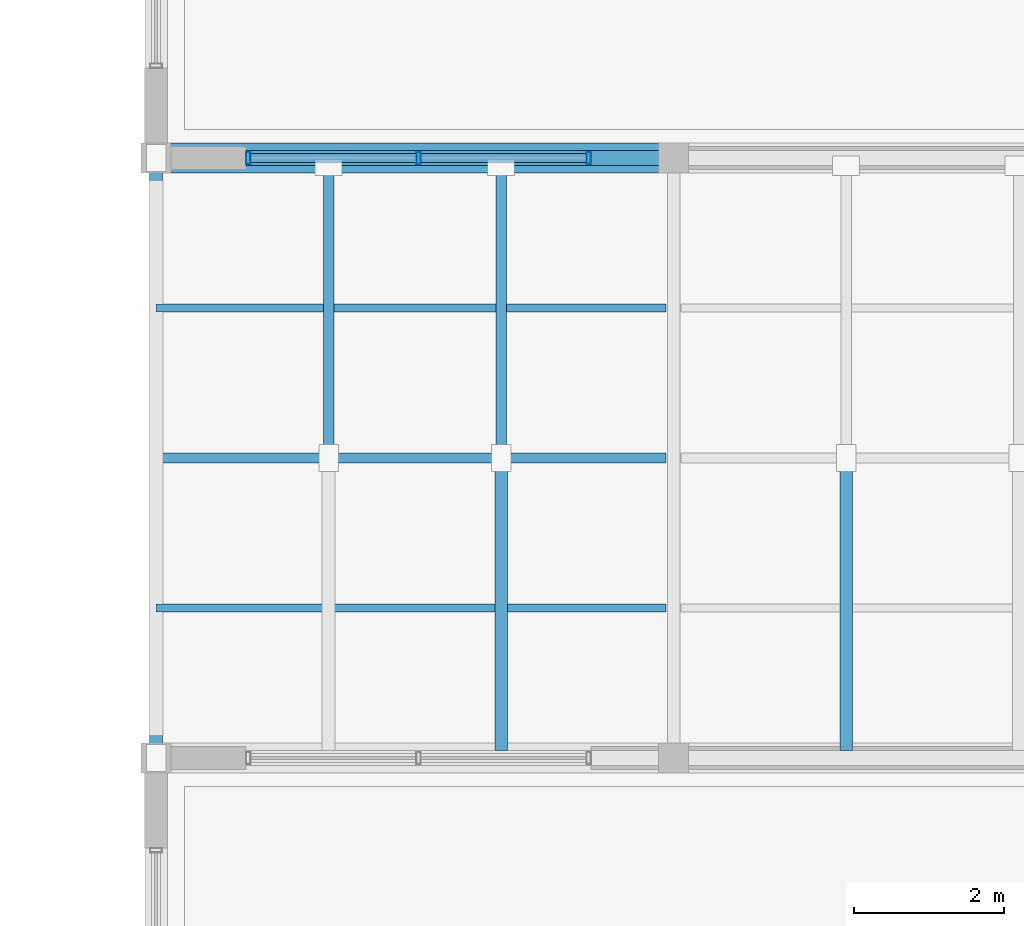
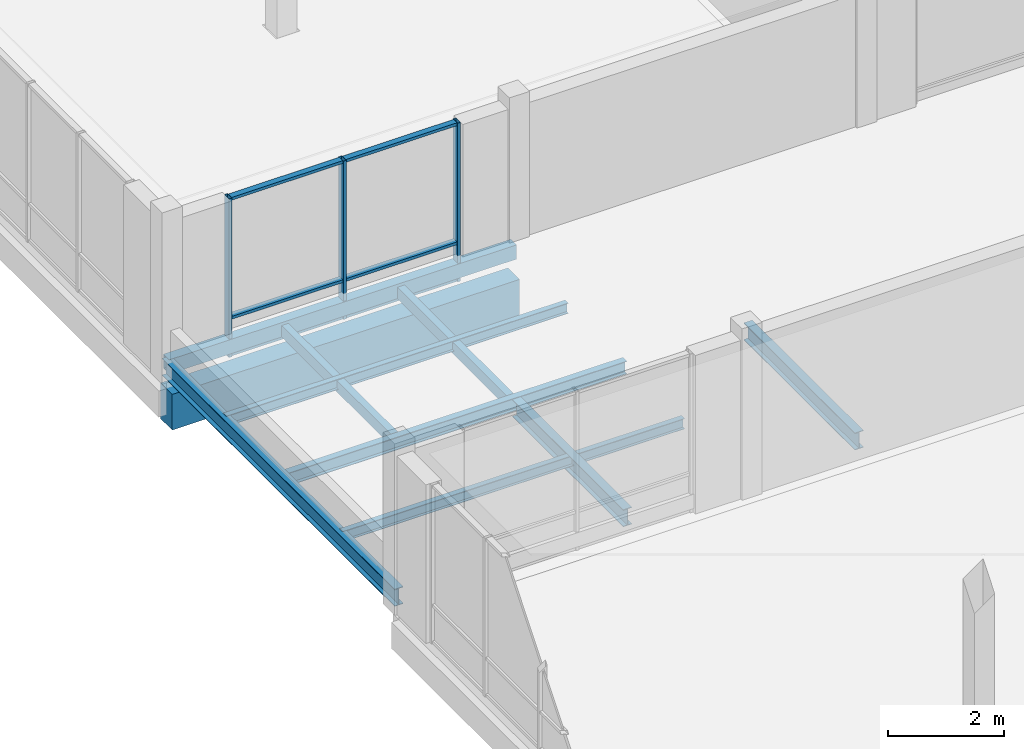
# One storey, part 30 of 189: 13 members, 6 beams, 1 element without a shape of its own.
"""IFC4 building model written with IfcOpenShell, lengths in metres."""

from ifc_helpers import new_model, si_unit, direction, frame, origin, origin_2d, place, context, subcontext, project, spatial, rectangle, hollow_rectangle, i_section, extrude, material, material_profile, profile_set, type_object, element, aggregate, save


model = new_model("IFC4")

# Units and contexts
model_context = context("Model", 3, precision=1e-05, world=origin(), true_north=direction((0.0, 1.0)))
body_context = subcontext(model_context, "Body", "Model", "MODEL_VIEW")
ifc_project = project(units=[si_unit("LENGTHUNIT", "METRE"), si_unit("AREAUNIT", "SQUARE_METRE"), si_unit("VOLUMEUNIT", "CUBIC_METRE"), si_unit("PLANEANGLEUNIT", "RADIAN"), si_unit("MASSUNIT", "GRAM", prefix="KILO")], contexts=[model_context])

# Site, building, storey
site_placement = place(None, origin())
site = spatial("IfcSite", under=ifc_project, at=site_placement, CompositionType="ELEMENT")
building_placement = place(site_placement, origin())
building = spatial("IfcBuilding", under=site, at=building_placement, Name="Zavelmont Quarter", CompositionType="ELEMENT")
storey_placement = place(building_placement, frame((0.0, 0.0, 4.39990234375)))
storey = spatial("IfcBuildingStorey", under=building, at=storey_placement, Name="L01", CompositionType="ELEMENT", Elevation=4.39990234375)

# Beams
ifc_material_1 = material(Name="Concrete C40/50", Category="concrete")
ifc_material_profile_1 = material_profile(ifc_material_1, rectangle(XDim=0.39990234375, YDim=0.75, at=origin_2d()), Name="RC400X750")
ifc_profile_set_1 = profile_set([ifc_material_profile_1], Name="Concrete C40/50")
beam_type_1 = type_object("IfcBeamType", Name="BM05", PredefinedType="BEAM", material=ifc_profile_set_1)
beam_1_placement = place(storey_placement, frame((0.0, 62.0, -0.65478515625), z_axis=(1.0, 0.0, 0.0), x_axis=(0.0, 1.0, 0.0)))
element("IfcBeam", 1, at=beam_1_placement, inside=storey, type_object=beam_type_1, Name="L01 beam BM05 1/K to 2/K", PredefinedType="BEAM", context=body_context, shape_type="SweptSolid", body=[
    extrude(rectangle(XDim=0.39990234375, YDim=0.75, at=origin_2d()), origin(), (0.0, 0.0, 1.0), 6.89990234375),
])
ifc_material_2 = material(Name="Steel S355", Category="steel")
ifc_material_profile_2 = material_profile(ifc_material_2, i_section(OverallWidth=0.169921875, OverallDepth=0.360107421875, WebThickness=0.008056640625, FlangeThickness=0.0126953125, at=origin_2d()), Name="IPE 360")
ifc_profile_set_2 = profile_set([ifc_material_profile_2], Name="Steel S355")
beam_type_2 = type_object("IfcBeamType", Name="BM13", PredefinedType="BEAM", material=ifc_profile_set_2)
beam_2_placement = place(storey_placement, frame((0.0, 54.0, 0.205078125), z_axis=(0.0, 1.0, 0.0), x_axis=(-1.0, 0.0, 0.0)))
element("IfcBeam", 2, at=beam_2_placement, inside=storey, type_object=beam_type_2, Name="L01 beam BM13 1/J to 1/K", PredefinedType="BEAM", context=body_context, shape_type="SweptSolid", body=[
    extrude(i_section(OverallWidth=0.169921875, OverallDepth=0.360107421875, WebThickness=0.008056640625, FlangeThickness=0.0126953125, at=origin_2d()), origin(), (0.0, 0.0, 1.0), 8.0),
])
ifc_material_profile_3 = material_profile(ifc_material_2, i_section(OverallWidth=0.135009765625, OverallDepth=0.27001953125, WebThickness=0.006591796875, FlangeThickness=0.01025390625, at=origin_2d()), Name="IPE 270")
ifc_profile_set_3 = profile_set([ifc_material_profile_3], Name="Steel S355")
beam_type_3 = type_object("IfcBeamType", Name="BM14", PredefinedType="JOIST", material=ifc_profile_set_3)
beam_3_placement = place(storey_placement, frame((0.0, 58.0, 0.25), z_axis=(1.0, 0.0, 0.0), x_axis=(0.0, 1.0, 0.0)))
element("IfcBeam", 3, at=beam_3_placement, inside=storey, type_object=beam_type_3, Name="L01 beam BM14 1/J to 2/J", PredefinedType="JOIST", context=body_context, shape_type="SweptSolid", body=[
    extrude(i_section(OverallWidth=0.135009765625, OverallDepth=0.27001953125, WebThickness=0.006591796875, FlangeThickness=0.01025390625, at=origin_2d()), origin(), (0.0, 0.0, 1.0), 6.800048828125),
])
ifc_material_profile_4 = material_profile(ifc_material_2, i_section(OverallWidth=0.110107421875, OverallDepth=0.219970703125, WebThickness=0.005859375, FlangeThickness=0.00927734375, at=origin_2d()), Name="IPE 220")
ifc_profile_set_4 = profile_set([ifc_material_profile_4], Name="Steel S355")
beam_type_4 = type_object("IfcBeamType", Name="BM15", PredefinedType="JOIST", material=ifc_profile_set_4)
for number, where, z_axis, x_axis, name in (
    (4, (0.0, 56.0, 0.275146484375), (1.0, 0.0, 0.0), (0.0, 1.0, 0.0), "L01 beam BM15 1/J to 2/J"),
    (5, (0.0, 60.0, 0.275146484375), (1.0, 0.0, 0.0), (0.0, 1.0, 0.0), "L01 beam BM15 1/K to 2/K"),
):
    element("IfcBeam", number, at=place(storey_placement, frame(where, z_axis=z_axis, x_axis=x_axis)), inside=storey, type_object=beam_type_4, Name=name, PredefinedType="JOIST", context=body_context, shape_type="SweptSolid", body=[
        extrude(i_section(OverallWidth=0.110107421875, OverallDepth=0.219970703125, WebThickness=0.005859375, FlangeThickness=0.00927734375, at=origin_2d()), origin(), (0.0, 0.0, 1.0), 6.800048828125),
    ])
ifc_material_profile_5 = material_profile(ifc_material_2, hollow_rectangle(XDim=0.199951171875, YDim=0.300048828125, WallThickness=0.012451171875, at=origin_2d()), Name="RHS 300X200X12.5")
ifc_profile_set_5 = profile_set([ifc_material_profile_5], Name="Steel S355")
beam_type_5 = type_object("IfcBeamType", Name="BM16", PredefinedType="BEAM", material=ifc_profile_set_5)
beam_4_placement = place(storey_placement, frame((0.0, 62.0, 0.235107421875), z_axis=(1.0, 0.0, 0.0), x_axis=(0.0, 1.0, 0.0)))
element("IfcBeam", 6, at=beam_4_placement, inside=storey, type_object=beam_type_5, Name="L01 beam BM16 1/K to 2/K", PredefinedType="BEAM", context=body_context, shape_type="SweptSolid", body=[
    extrude(hollow_rectangle(XDim=0.199951171875, YDim=0.300048828125, WallThickness=0.012451171875, at=origin_2d()), origin(), (0.0, 0.0, 1.0), 6.89990234375),
])

# Members
ifc_material_profile_6 = material_profile(ifc_material_2, hollow_rectangle(XDim=0.139892578125, YDim=0.239990234375, WallThickness=0.010009765625, at=origin_2d()), Name="RHS 240X140X10")
ifc_profile_set_6 = profile_set([ifc_material_profile_6], Name="Steel S355")
member_type_1 = type_object("IfcMemberType", Name="CLM1", PredefinedType="CHORD", material=ifc_profile_set_6)
for number, where, z_axis, x_axis, name in (
    (7, (2.300048828125, 58.080078125, 0.205078125), (0.0, 1.0, 0.0), (-1.0, 0.0, 0.0), "L01 member CLM1 1/K to 1/K"),
    (8, (4.60009765625, 58.080078125, 0.205078125), (0.0, 1.0, 0.0), (-1.0, 0.0, 0.0), "L01 member CLM1 2/K to 2/K"),
):
    element("IfcMember", number, at=place(storey_placement, frame(where, z_axis=z_axis, x_axis=x_axis)), inside=storey, type_object=member_type_1, Name=name, PredefinedType="CHORD", context=body_context, shape_type="SweptSolid", body=[
        extrude(hollow_rectangle(XDim=0.139892578125, YDim=0.239990234375, WallThickness=0.010009765625, at=origin_2d()), origin(), (0.0, 0.0, 1.0), 3.81982421875),
    ])

# Curtain wall, members
ifc_material_3 = material(Name="Thermally broken aluminium and double low-E safety glazing", Category="aluminium")
curtain_wall_type = type_object("IfcCurtainWallType", Name="CW-460X333", PredefinedType="NOTDEFINED", material=ifc_material_3)
curtain_wall_placement = place(storey_placement, origin())
curtain_wall = element("IfcCurtainWall", 9, at=curtain_wall_placement, inside=storey, type_object=curtain_wall_type, Name="L01 unitised curtain wall CW-460X333", PredefinedType="NOTDEFINED")
ifc_material_4 = material(Name="Powder-coated aluminium EN AW-6063-T6", Category="aluminium")
ifc_material_profile_7 = material_profile(ifc_material_4, hollow_rectangle(XDim=0.06005859375, YDim=0.159912109375, WallThickness=0.00390625, at=origin_2d()), Name="CWM60X160")
ifc_profile_set_7 = profile_set([ifc_material_profile_7], Name="Powder-coated aluminium EN AW-6063-T6")
member_type_2 = type_object("IfcMemberType", Name="CWM01", PredefinedType="MULLION", material=ifc_profile_set_7)
member_1_placement = place(storey_placement, frame((1.22998046875, 62.0, 0.0), z_axis=(0.0, 0.0, 1.0), x_axis=(1.0, 0.0, 0.0)))
member_1 = element("IfcMember", 10, at=member_1_placement, type_object=member_type_2, Name="CW-460X333 mullion 1", PredefinedType="MULLION", context=body_context, shape_type="SweptSolid", body=[
    extrude(hollow_rectangle(XDim=0.06005859375, YDim=0.159912109375, WallThickness=0.00390625, at=origin_2d()), origin(), (0.0, 0.0, 1.0), 3.330078125),
])
member_2_placement = place(storey_placement, frame((3.5, 62.0, 0.0), z_axis=(0.0, 0.0, 1.0), x_axis=(1.0, 0.0, 0.0)))
member_2 = element("IfcMember", 11, at=member_2_placement, type_object=member_type_2, Name="CW-460X333 mullion 2", PredefinedType="MULLION", context=body_context, shape_type="SweptSolid", body=[
    extrude(hollow_rectangle(XDim=0.06005859375, YDim=0.159912109375, WallThickness=0.00390625, at=origin_2d()), origin(), (0.0, 0.0, 1.0), 3.330078125),
])
member_3_placement = place(storey_placement, frame((5.77001953125, 62.0, 0.0), z_axis=(0.0, 0.0, 1.0), x_axis=(1.0, 0.0, 0.0)))
member_3 = element("IfcMember", 12, at=member_3_placement, type_object=member_type_2, Name="CW-460X333 mullion 3", PredefinedType="MULLION", context=body_context, shape_type="SweptSolid", body=[
    extrude(hollow_rectangle(XDim=0.06005859375, YDim=0.159912109375, WallThickness=0.00390625, at=origin_2d()), origin(), (0.0, 0.0, 1.0), 3.330078125),
])
ifc_material_profile_8 = material_profile(ifc_material_4, hollow_rectangle(XDim=0.1201171875, YDim=0.06005859375, WallThickness=0.00390625, at=origin_2d()), Name="CWT60X120")
ifc_profile_set_8 = profile_set([ifc_material_profile_8], Name="Powder-coated aluminium EN AW-6063-T6")
member_type_3 = type_object("IfcMemberType", Name="CWT01", PredefinedType="NOTDEFINED", material=ifc_profile_set_8)
member_4_placement = place(storey_placement, frame((1.260009765625, 62.0, 0.030029296875), z_axis=(1.0, 0.0, 0.0), x_axis=(0.0, 1.0, 0.0)))
member_4 = element("IfcMember", 13, at=member_4_placement, type_object=member_type_3, Name="CW-460X333 transom 1.1", ObjectType="TRANSOM", PredefinedType="USERDEFINED", context=body_context, shape_type="SweptSolid", body=[
    extrude(hollow_rectangle(XDim=0.1201171875, YDim=0.06005859375, WallThickness=0.00390625, at=origin_2d()), origin(), (0.0, 0.0, 1.0), 2.2099609375),
])
member_5_placement = place(storey_placement, frame((1.260009765625, 62.0, 0.799072265625), z_axis=(1.0, 0.0, 0.0), x_axis=(0.0, 1.0, 0.0)))
member_5 = element("IfcMember", 14, at=member_5_placement, type_object=member_type_3, Name="CW-460X333 transom 1.2", ObjectType="TRANSOM", PredefinedType="USERDEFINED", context=body_context, shape_type="SweptSolid", body=[
    extrude(hollow_rectangle(XDim=0.1201171875, YDim=0.06005859375, WallThickness=0.00390625, at=origin_2d()), origin(), (0.0, 0.0, 1.0), 2.2099609375),
])
member_6_placement = place(storey_placement, frame((1.260009765625, 62.0, 3.300048828125), z_axis=(1.0, 0.0, 0.0), x_axis=(0.0, 1.0, 0.0)))
member_6 = element("IfcMember", 15, at=member_6_placement, type_object=member_type_3, Name="CW-460X333 transom 1.3", ObjectType="TRANSOM", PredefinedType="USERDEFINED", context=body_context, shape_type="SweptSolid", body=[
    extrude(hollow_rectangle(XDim=0.1201171875, YDim=0.06005859375, WallThickness=0.00390625, at=origin_2d()), origin(), (0.0, 0.0, 1.0), 2.2099609375),
])
member_7_placement = place(storey_placement, frame((3.530029296875, 62.0, 0.030029296875), z_axis=(1.0, 0.0, 0.0), x_axis=(0.0, 1.0, 0.0)))
member_7 = element("IfcMember", 16, at=member_7_placement, type_object=member_type_3, Name="CW-460X333 transom 2.1", ObjectType="TRANSOM", PredefinedType="USERDEFINED", context=body_context, shape_type="SweptSolid", body=[
    extrude(hollow_rectangle(XDim=0.1201171875, YDim=0.06005859375, WallThickness=0.00390625, at=origin_2d()), origin(), (0.0, 0.0, 1.0), 2.2099609375),
])
member_8_placement = place(storey_placement, frame((3.530029296875, 62.0, 0.799072265625), z_axis=(1.0, 0.0, 0.0), x_axis=(0.0, 1.0, 0.0)))
member_8 = element("IfcMember", 17, at=member_8_placement, type_object=member_type_3, Name="CW-460X333 transom 2.2", ObjectType="TRANSOM", PredefinedType="USERDEFINED", context=body_context, shape_type="SweptSolid", body=[
    extrude(hollow_rectangle(XDim=0.1201171875, YDim=0.06005859375, WallThickness=0.00390625, at=origin_2d()), origin(), (0.0, 0.0, 1.0), 2.2099609375),
])
member_9_placement = place(storey_placement, frame((3.530029296875, 62.0, 3.300048828125), z_axis=(1.0, 0.0, 0.0), x_axis=(0.0, 1.0, 0.0)))
member_9 = element("IfcMember", 18, at=member_9_placement, type_object=member_type_3, Name="CW-460X333 transom 2.3", ObjectType="TRANSOM", PredefinedType="USERDEFINED", context=body_context, shape_type="SweptSolid", body=[
    extrude(hollow_rectangle(XDim=0.1201171875, YDim=0.06005859375, WallThickness=0.00390625, at=origin_2d()), origin(), (0.0, 0.0, 1.0), 2.2099609375),
])
aggregate(curtain_wall, [member_1, member_2, member_3, member_4, member_5, member_6, member_7, member_8, member_9])

# Members
ifc_material_profile_9 = material_profile(ifc_material_2, i_section(OverallWidth=0.169921875, OverallDepth=0.360107421875, WebThickness=0.008056640625, FlangeThickness=0.0126953125, at=origin_2d()), Name="IPE 360")
ifc_profile_set_9 = profile_set([ifc_material_profile_9], Name="Steel S355")
member_type_4 = type_object("IfcMemberType", Name="RFM2", PredefinedType="RAFTER", material=ifc_profile_set_9)
for number, where, z_axis, x_axis, name in (
    (19, (4.60009765625, 54.10009765625, 0.205078125), (0.0, 1.0, 0.0), (-1.0, 0.0, 0.0), "L01 member RFM2 2/J to 2/J"),
    (20, (9.199951171875, 54.10009765625, 0.205078125), (0.0, 1.0, 0.0), (-1.0, 0.0, 0.0), "L01 member RFM2 2/J to 2/J"),
):
    element("IfcMember", number, at=place(storey_placement, frame(where, z_axis=z_axis, x_axis=x_axis)), inside=storey, type_object=member_type_4, Name=name, PredefinedType="RAFTER", context=body_context, shape_type="SweptSolid", body=[
        extrude(i_section(OverallWidth=0.169921875, OverallDepth=0.360107421875, WebThickness=0.008056640625, FlangeThickness=0.0126953125, at=origin_2d()), origin(), (0.0, 0.0, 1.0), 3.81982421875),
    ])

save(model, "model.ifc")
